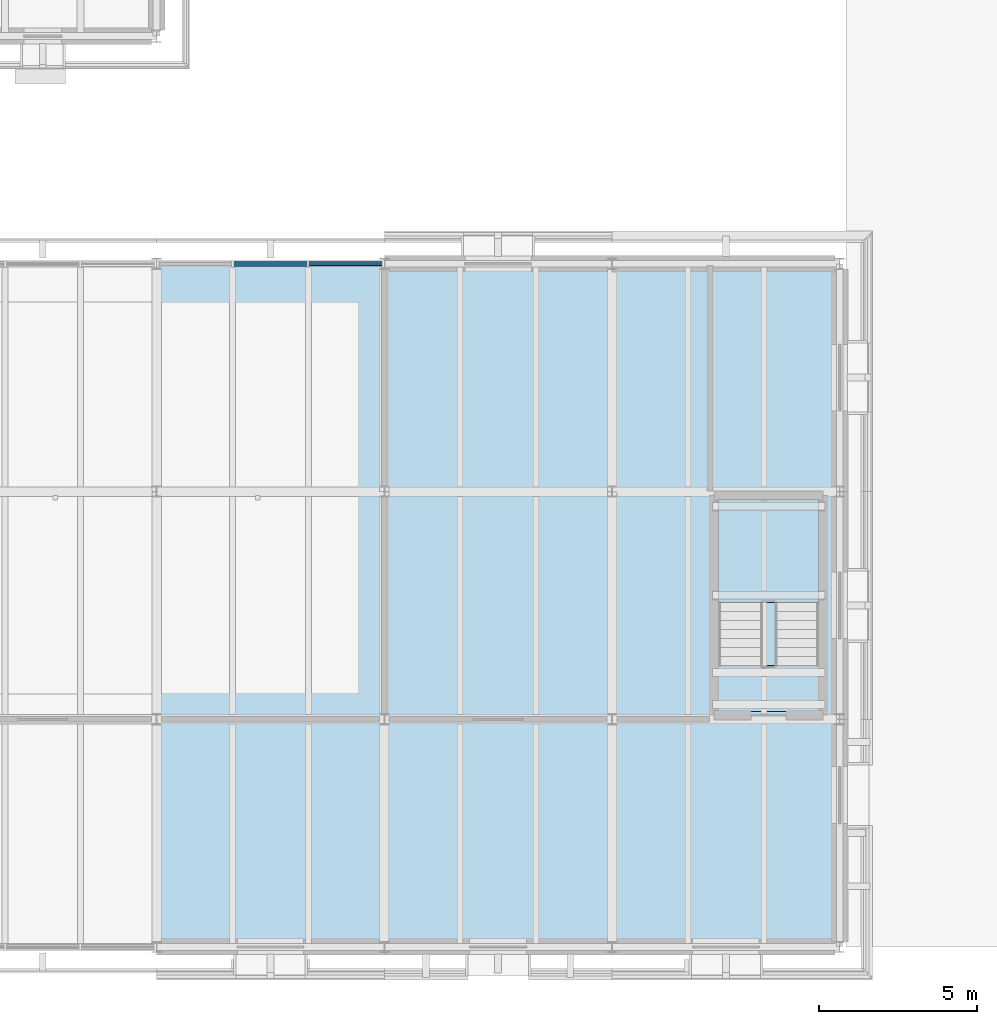
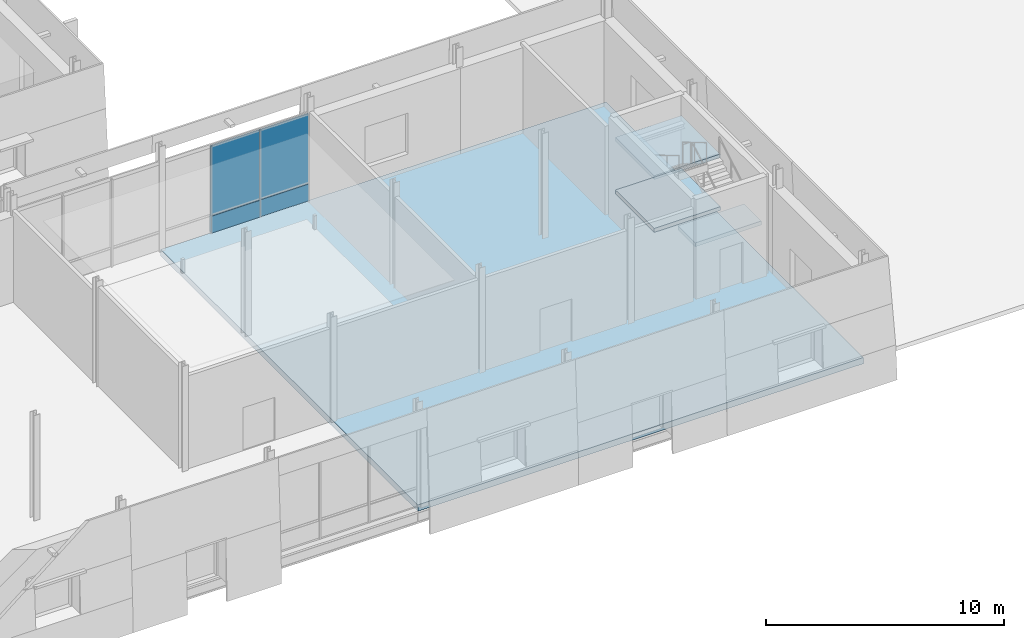
# One storey, part 47 of 120: 4 plates, 4 slabs, 2 elements without a shape of their own.
"""IFC4 building model written with IfcOpenShell, lengths in metres."""

import ifcopenshell
import ifcopenshell.guid

model = None  # the IFC model being written
_history = None  # IfcOwnerHistory: only IFC2X3 demands one
_inside = {}  # id of a spatial element -> (the spatial element, [elements in it])
_under = {}  # id of a project, library or spatial element -> (it, [spatial elements below it])
_declared = {}  # id of a project -> (the project, [libraries it declares])
_typed = {}  # id of a type object -> (the type object, [elements of that type])
_made_of = {}  # id of a material, layer set ... -> (it, [elements and type objects made of it])


def new_model(schema):
    """Start an empty IFC model of exactly this schema.

    Asked for "IFC4X3", IfcOpenShell would pick the latest addendum, in which some entities
    have other attributes; the version numbers below select the first issue.
    IFC2X3 requires an IfcOwnerHistory on every rooted entity: one is made here for all.
    """
    global model, _history
    if schema == "IFC4X3":
        model = ifcopenshell.file(schema_version=(4, 3, 0, 0))
    else:
        model = ifcopenshell.file(schema=schema)
    _inside.clear()
    _under.clear()
    _declared.clear()
    _typed.clear()
    _made_of.clear()
    _history = None
    if model.schema == "IFC2X3":
        org = make("IfcOrganization", Name="unknown")
        user = make(
            "IfcPersonAndOrganization",
            ThePerson=make("IfcPerson", FamilyName="unknown"),
            TheOrganization=org,
        )
        app = make(
            "IfcApplication",
            ApplicationDeveloper=org,
            Version="unknown",
            ApplicationFullName="unknown",
            ApplicationIdentifier="unknown",
        )
        _history = make(
            "IfcOwnerHistory",
            OwningUser=user,
            OwningApplication=app,
            ChangeAction="ADDED",
            CreationDate=0,
        )
    return model


def make(cls, **values):
    """One entity of the class cls with the attributes given. An attribute that is None is left unset."""
    return model.create_entity(
        cls, **{name: value for name, value in values.items() if value is not None}
    )


def rooted(cls, **values):
    """An entity with a GlobalId (a new one), such as an element, a storey or a relation."""
    return make(cls, GlobalId=ifcopenshell.guid.new(), OwnerHistory=_history, **values)


def si_unit(unit_type, name, prefix=None):
    """IfcSIUnit, for example si_unit("LENGTHUNIT", "METRE", prefix="MILLI")."""
    return make("IfcSIUnit", UnitType=unit_type, Prefix=prefix, Name=name)


def assignment(units):
    """IfcUnitAssignment: the units of a project."""
    return None if units is None else make("IfcUnitAssignment", Units=units)


def point(xyz):
    """IfcCartesianPoint."""
    return None if xyz is None else make("IfcCartesianPoint", Coordinates=xyz)


def direction(xyz):
    """IfcDirection."""
    return None if xyz is None else make("IfcDirection", DirectionRatios=xyz)


def frame(location, z_axis=None, x_axis=None):
    """IfcAxis2Placement3D, a coordinate frame: its origin and axes. An axis left out is left unset."""
    return make(
        "IfcAxis2Placement3D",
        Location=point(location),
        Axis=direction(z_axis),
        RefDirection=direction(x_axis),
    )


def frame_2d(location, x_axis=None):
    """IfcAxis2Placement2D, a coordinate frame in the plane: its origin and x axis."""
    return make(
        "IfcAxis2Placement2D", Location=point(location), RefDirection=direction(x_axis)
    )


def origin():
    """The frame at (0, 0, 0) with its axes left unset."""
    return frame((0.0, 0.0, 0.0))


def origin_2d():
    """The frame at (0, 0) in the plane with its x axis left unset."""
    return frame_2d((0.0, 0.0))


def place(relative_to, where):
    """IfcLocalPlacement: puts the frame where relative to a parent placement (None: the world)."""
    return make(
        "IfcLocalPlacement", PlacementRelTo=relative_to, RelativePlacement=where
    )


def context(
    kind, dimensions, precision=None, world=None, true_north=None, identifier=None
):
    """IfcGeometricRepresentationContext, for example the 3D "Model" context."""
    return make(
        "IfcGeometricRepresentationContext",
        ContextIdentifier=identifier,
        ContextType=kind,
        CoordinateSpaceDimension=dimensions,
        Precision=precision,
        WorldCoordinateSystem=world,
        TrueNorth=true_north,
    )


def subcontext(parent, identifier, kind, view, scale=None):
    """IfcGeometricRepresentationSubContext, for example "Body" below "Model"."""
    return make(
        "IfcGeometricRepresentationSubContext",
        ContextIdentifier=identifier,
        ContextType=kind,
        ParentContext=parent,
        TargetScale=scale,
        TargetView=view,
    )


def project(units=None, contexts=None):
    """IfcProject with its units and contexts."""
    return rooted(
        "IfcProject",
        Name="project",
        RepresentationContexts=contexts,
        UnitsInContext=assignment(units),
    )


def spatial(cls, under=None, at=None, **own):
    """A site, building, storey or space (cls), placed at a placement, below another one or the project."""
    s = rooted(cls, ObjectPlacement=at, **own)
    if under is not None:
        _under.setdefault(under.id(), (under, []))[1].append(s)
    return s


def polyline(points):
    """IfcPolyline through the points."""
    return make("IfcPolyline", Points=[point(p) for p in points])


def profile(cls, at=None, kind="AREA", **sizes):
    """A parametric profile (cls). Its sizes go by their IFC names, for example OverallWidth=200.0."""
    return make(cls, ProfileType=kind, Position=at, **sizes)


def rectangle(**sizes):
    """IfcRectangleProfileDef."""
    return profile("IfcRectangleProfileDef", **sizes)


def outline(outer, holes=None, kind="AREA"):
    """IfcArbitraryClosedProfileDef: a profile drawn as a closed curve; with holes, ...WithVoids."""
    if holes is None:
        return make("IfcArbitraryClosedProfileDef", ProfileType=kind, OuterCurve=outer)
    return make(
        "IfcArbitraryProfileDefWithVoids",
        ProfileType=kind,
        OuterCurve=outer,
        InnerCurves=holes,
    )


def extrude(swept, where, along, depth):
    """IfcExtrudedAreaSolid: the profile swept, set in the frame where, extruded along a direction by depth."""
    return make(
        "IfcExtrudedAreaSolid",
        SweptArea=swept,
        Position=where,
        ExtrudedDirection=direction(along),
        Depth=depth,
    )


def shape(context_of_items, identifier, shape_type, items):
    """IfcShapeRepresentation: the items that make up one representation, for example the "Body"."""
    return make(
        "IfcShapeRepresentation",
        ContextOfItems=context_of_items,
        RepresentationIdentifier=identifier,
        RepresentationType=shape_type,
        Items=items,
    )


def material(Name=None, Category=None):
    """IfcMaterial."""
    return make("IfcMaterial", Name=Name, Category=Category)


def layer(
    of_material, thickness, ventilated=None, Name=None, Category=None, Priority=None
):
    """IfcMaterialLayer: one layer of a wall or slab, of a material (None: an air gap)."""
    return make(
        "IfcMaterialLayer",
        Material=of_material,
        LayerThickness=thickness,
        IsVentilated=ventilated,
        Name=Name,
        Category=Category,
        Priority=Priority,
    )


def layer_set(layers, Name=None):
    """IfcMaterialLayerSet."""
    return make("IfcMaterialLayerSet", MaterialLayers=layers, LayerSetName=Name)


def made_of(thing, what):
    """Note that an element or type object is made of a material, layer set ...; save() writes the relation."""
    if what is not None:
        _made_of.setdefault(what.id(), (what, []))[1].append(thing)
    return thing


def type_object(cls, material=None, **own):
    """A type object (cls), such as IfcWallType, which elements share."""
    return made_of(rooted(cls, **own), material)


def element(
    cls,
    number,
    at=None,
    inside=None,
    cuts=None,
    type_object=None,
    material=None,
    context=None,
    identifier="Body",
    shape_type=None,
    held_by="IfcProductDefinitionShape",
    body=None,
    shapes=None,
    **own,
):
    """One element of the class cls, such as IfcWall. Its Tag is "e" and its number.

    at: its placement. inside: the storey or other place that contains it. cuts: it is an
    opening in that element (IfcRelVoidsElement). A single representation is given by context,
    identifier, shape_type and body (its items); several are given by shapes. held_by: the class
    of the entity that holds the representations. save() writes the other relations.
    """
    e = rooted(cls, Tag="e%d" % number, ObjectPlacement=at, **own)
    if body is not None:
        shapes = [shape(context, identifier, shape_type, body)]
    if shapes is not None:
        e.Representation = make(held_by, Representations=shapes)
    if inside is not None:
        _inside.setdefault(inside.id(), (inside, []))[1].append(e)
    if cuts is not None:
        rooted(
            "IfcRelVoidsElement", RelatingBuildingElement=cuts, RelatedOpeningElement=e
        )
    if type_object is not None:
        _typed.setdefault(type_object.id(), (type_object, []))[1].append(e)
    return made_of(e, material)


def aggregate(whole, parts):
    """IfcRelAggregates: a whole, such as a stair, and the parts it consists of."""
    return rooted("IfcRelAggregates", RelatingObject=whole, RelatedObjects=parts)


def save(model, path):
    """Write the relations noted so far, then the file.

    IfcRelAggregates (storeys below a building ...), IfcRelContainedInSpatialStructure (elements
    in a storey), IfcRelDefinesByType, IfcRelAssociatesMaterial and IfcRelDeclares: one each for
    every whole, place, type object, material and project.
    """
    for whole, parts in _under.values():
        aggregate(whole, parts)
    for where, things in _inside.values():
        rooted(
            "IfcRelContainedInSpatialStructure",
            RelatedElements=things,
            RelatingStructure=where,
        )
    for kind, things in _typed.values():
        rooted("IfcRelDefinesByType", RelatedObjects=things, RelatingType=kind)
    for what, things in _made_of.values():
        rooted("IfcRelAssociatesMaterial", RelatedObjects=things, RelatingMaterial=what)
    for by, libraries in _declared.values():
        rooted("IfcRelDeclares", RelatingContext=by, RelatedDefinitions=libraries)
    model.write(path)


model = new_model("IFC4")

# Units and contexts
model_context = context("Model", 3, precision=1e-05, world=origin(), true_north=direction((0.0, 1.0)))
body_context = subcontext(model_context, "Body", "Model", "MODEL_VIEW")
ifc_project = project(units=[si_unit("LENGTHUNIT", "METRE"), si_unit("AREAUNIT", "SQUARE_METRE"), si_unit("VOLUMEUNIT", "CUBIC_METRE"), si_unit("PLANEANGLEUNIT", "RADIAN"), si_unit("MASSUNIT", "GRAM", prefix="KILO")], contexts=[model_context])

# Site, building, storey
site_placement = place(None, origin())
site = spatial("IfcSite", under=ifc_project, at=site_placement, CompositionType="ELEMENT")
building_placement = place(site_placement, origin())
building = spatial("IfcBuilding", under=site, at=building_placement, Name="Narikvali Park Central Library", CompositionType="ELEMENT")
storey_placement = place(building_placement, origin())
storey = spatial("IfcBuildingStorey", under=building, at=storey_placement, Name="L00", CompositionType="ELEMENT", Elevation=0.0)

# Curtain wall, plates
ifc_material_1 = material(Name="Anodised Bronze Aluminium", Category="aluminium")
ifc_layer_1 = layer(ifc_material_1, 0.219970703125, Name="Anodised Bronze Aluminium")
ifc_layer_set_1 = layer_set([ifc_layer_1], Name="Anodised Bronze Aluminium")
curtain_wall_type = type_object("IfcCurtainWallType", Name="Atrium Tall Curtain Wall System", PredefinedType="NOTDEFINED", material=ifc_layer_set_1)
curtain_wall_placement = place(storey_placement, origin())
curtain_wall = element("IfcCurtainWall", 1, at=curtain_wall_placement, inside=storey, type_object=curtain_wall_type, Name="Atrium Tall Curtain Wall System CW-V2-L00-N-03", PredefinedType="NOTDEFINED")
ifc_material_2 = material(Name="Anodised Bronze Acoustic Spandrel Cassette")
ifc_layer_2 = layer(ifc_material_2, 0.1650390625, Name="Anodised Bronze Acoustic Spandrel Cassette")
ifc_layer_set_2 = layer_set([ifc_layer_2], Name="Anodised Bronze Acoustic Spandrel Cassette")
plate_type_1 = type_object("IfcPlateType", Name="Curtain Wall Acoustic Plenum Louvre Cassette 165", PredefinedType="CURTAIN_PANEL", material=ifc_layer_set_2)
plate_1_placement = place(storey_placement, frame((25.199951171875, 21.60009765625, 0.03515625), z_axis=(0.0, 0.0, 1.0), x_axis=(-1.0, 0.0, 0.0)))
plate_1 = element("IfcPlate", 2, at=plate_1_placement, type_object=plate_type_1, Name="CW-V2-L00-N-03 Panel 01-0", PredefinedType="CURTAIN_PANEL", context=body_context, shape_type="SweptSolid", body=[
    extrude(rectangle(XDim=2.36474609375, YDim=0.1650390625, at=origin_2d()), origin(), (0.0, 0.0, 1.0), 0.860107421875),
])
ifc_material_3 = material(Name="Heavy Acoustic Laminated Clerestory Glazing", Category="glass")
ifc_layer_3 = layer(ifc_material_3, 0.06396484375, Name="Heavy Acoustic Laminated Clerestory Glazing")
ifc_layer_set_3 = layer_set([ifc_layer_3], Name="Heavy Acoustic Laminated Clerestory Glazing")
plate_type_2 = type_object("IfcPlateType", Name="Curtain Wall Clerestory Laminated Acoustic Glass 64", PredefinedType="CURTAIN_PANEL", material=ifc_layer_set_3)
plate_2_placement = place(storey_placement, frame((27.57470703125, 21.60009765625, 0.905029296875), z_axis=(0.0, 0.0, 1.0), x_axis=(-1.0, 0.0, 0.0)))
plate_2 = element("IfcPlate", 3, at=plate_2_placement, type_object=plate_type_2, Name="CW-V2-L00-N-03 Panel 00-1", PredefinedType="CURTAIN_PANEL", context=body_context, shape_type="SweptSolid", body=[
    extrude(rectangle(XDim=2.36474609375, YDim=0.06396484375, at=origin_2d()), origin(), (0.0, 0.0, 1.0), 3.56005859375),
])
plate_3_placement = place(storey_placement, frame((25.199951171875, 21.60009765625, 0.905029296875), z_axis=(0.0, 0.0, 1.0), x_axis=(-1.0, 0.0, 0.0)))
plate_3 = element("IfcPlate", 4, at=plate_3_placement, type_object=plate_type_2, Name="CW-V2-L00-N-03 Panel 01-1", PredefinedType="CURTAIN_PANEL", context=body_context, shape_type="SweptSolid", body=[
    extrude(rectangle(XDim=2.36474609375, YDim=0.06396484375, at=origin_2d()), origin(), (0.0, 0.0, 1.0), 3.56005859375),
])
ifc_material_4 = material(Name="Mineral-Wool Shadow-Box Spandrel Assembly")
ifc_layer_4 = layer(ifc_material_4, 0.139892578125, Name="Mineral-Wool Shadow-Box Spandrel Assembly")
ifc_layer_set_4 = layer_set([ifc_layer_4], Name="Mineral-Wool Shadow-Box Spandrel Assembly")
plate_type_3 = type_object("IfcPlateType", Name="Curtain Wall Shadow-Box Mineral Spandrel Panel 140", PredefinedType="CURTAIN_PANEL", material=ifc_layer_set_4)
plate_4_placement = place(storey_placement, frame((27.57470703125, 21.60009765625, 0.03515625), z_axis=(0.0, 0.0, 1.0), x_axis=(-1.0, 0.0, 0.0)))
plate_4 = element("IfcPlate", 5, at=plate_4_placement, type_object=plate_type_3, Name="CW-V2-L00-N-03 Panel 00-0", PredefinedType="CURTAIN_PANEL", context=body_context, shape_type="SweptSolid", body=[
    extrude(rectangle(XDim=2.36474609375, YDim=0.139892578125, at=origin_2d()), origin(), (0.0, 0.0, 1.0), 0.860107421875),
])
aggregate(curtain_wall, [plate_4, plate_2, plate_1, plate_3])

# Slab
ifc_material_5 = material(Name="Concrete C35/45", Category="concrete")
ifc_layer_5 = layer(ifc_material_5, 0.320068359375, Name="Concrete C35/45")
ifc_layer_set_5 = layer_set([ifc_layer_5], Name="Concrete C35/45")
slab_type_1 = type_object("IfcSlabType", Name="Ground Plinth Composite Slab 320", PredefinedType="FLOOR", material=ifc_layer_set_5)
slab_1_placement = place(storey_placement, frame((0.0, 0.0, -0.320068359375)))
element("IfcSlab", 6, at=slab_1_placement, inside=storey, type_object=slab_type_1, Name="V2 L00 Structural Slab Panel 2", PredefinedType="FLOOR", context=body_context, shape_type="SweptSolid", body=[
    extrude(outline(polyline([(21.60009765625, 0.0), (43.199951171875, 0.0), (43.199951171875, 21.60009765625), (21.60009765625, 21.60009765625), (21.60009765625, 0.0)])), origin(), (0.0, 0.0, 1.0), 0.320068359375),
])

# Stair, slabs
stair_type = type_object("IfcStairType", Name="Core Enclosed Two-Flight Exit Stair", PredefinedType="HALF_TURN_STAIR", material=ifc_material_5)
stair_placement = place(storey_placement, origin())
stair = element("IfcStair", 7, at=stair_placement, inside=storey, type_object=stair_type, Name="L00 Exit Stair ST-04", PredefinedType="HALF_TURN_STAIR")
ifc_layer_6 = layer(ifc_material_5, 0.199951171875, Name="Concrete C35/45")
ifc_layer_set_6 = layer_set([ifc_layer_6], Name="Concrete C35/45")
slab_type_2 = type_object("IfcSlabType", Name="Stair Half-Landing Concrete Slab 200", PredefinedType="LANDING", material=ifc_layer_set_6)
slab_2_placement = place(storey_placement, frame((0.0, 0.0, 1.14990234375)))
slab_2 = element("IfcSlab", 8, at=slab_2_placement, type_object=slab_type_2, Name="ST-04 landing 1", PredefinedType="LANDING", context=body_context, shape_type="SweptSolid", body=[
    extrude(outline(polyline([(42.550048828125, 10.89501953125), (42.550048828125, 14.14990234375), (39.35009765625, 14.14990234375), (39.35009765625, 10.89501953125), (42.550048828125, 10.89501953125)])), origin(), (0.0, 0.0, 1.0), 0.2001953125),
])
slab_3_placement = place(storey_placement, frame((0.0, 0.0, 2.5)))
slab_3 = element("IfcSlab", 9, at=slab_3_placement, type_object=slab_type_2, Name="ST-04 landing 2", PredefinedType="LANDING", context=body_context, shape_type="SweptSolid", body=[
    extrude(outline(polyline([(42.550048828125, 7.449951171875), (42.550048828125, 8.89990234375), (39.35009765625, 8.89990234375), (39.35009765625, 7.449951171875), (42.550048828125, 7.449951171875)])), origin(), (0.0, 0.0, 1.0), 0.199951171875),
])
slab_4_placement = place(storey_placement, frame((0.0, 0.0, 3.85009765625)))
slab_4 = element("IfcSlab", 10, at=slab_4_placement, type_object=slab_type_2, Name="ST-04 landing 3", PredefinedType="LANDING", context=body_context, shape_type="SweptSolid", body=[
    extrude(outline(polyline([(42.550048828125, 10.89501953125), (42.550048828125, 14.14990234375), (39.35009765625, 14.14990234375), (39.35009765625, 10.89501953125), (42.550048828125, 10.89501953125)])), origin(), (0.0, 0.0, 1.0), 0.199951171875),
])
aggregate(stair, [slab_2, slab_3, slab_4])

save(model, "model.ifc")
